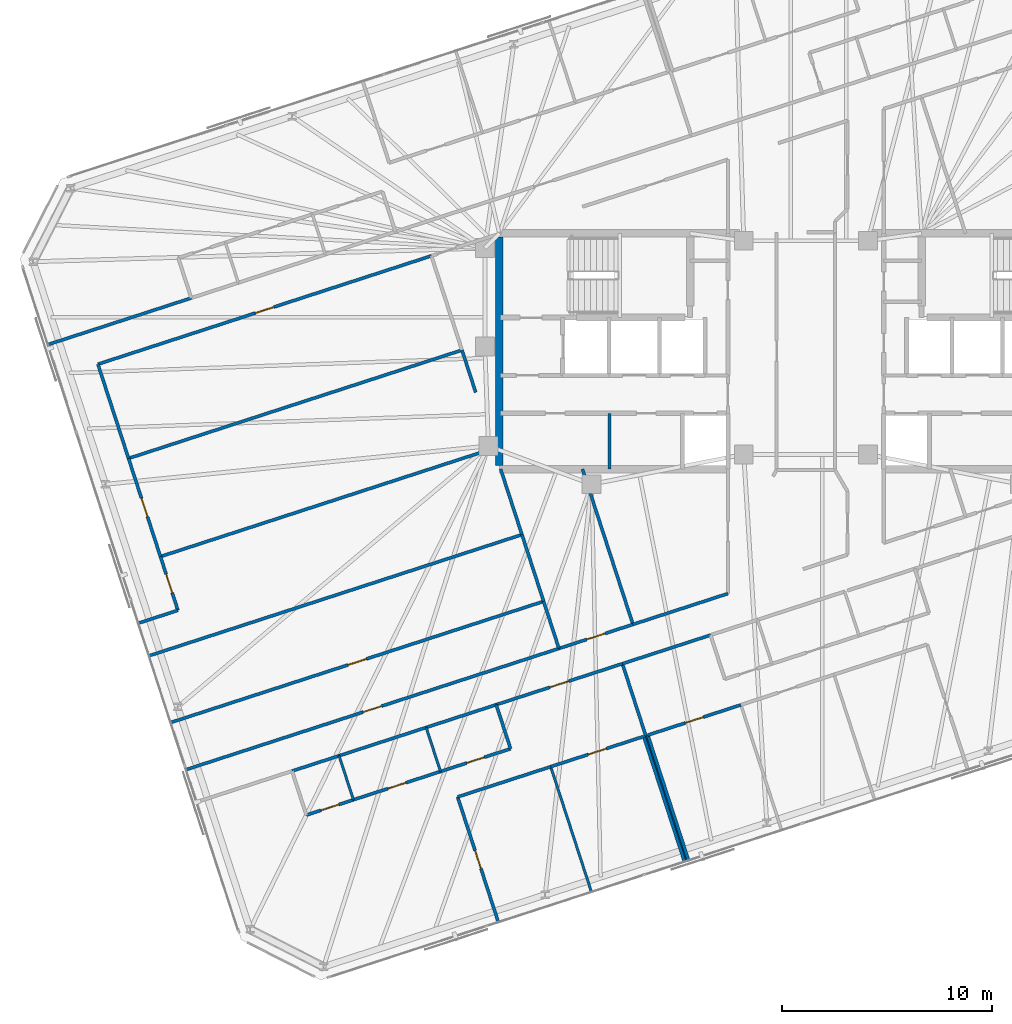
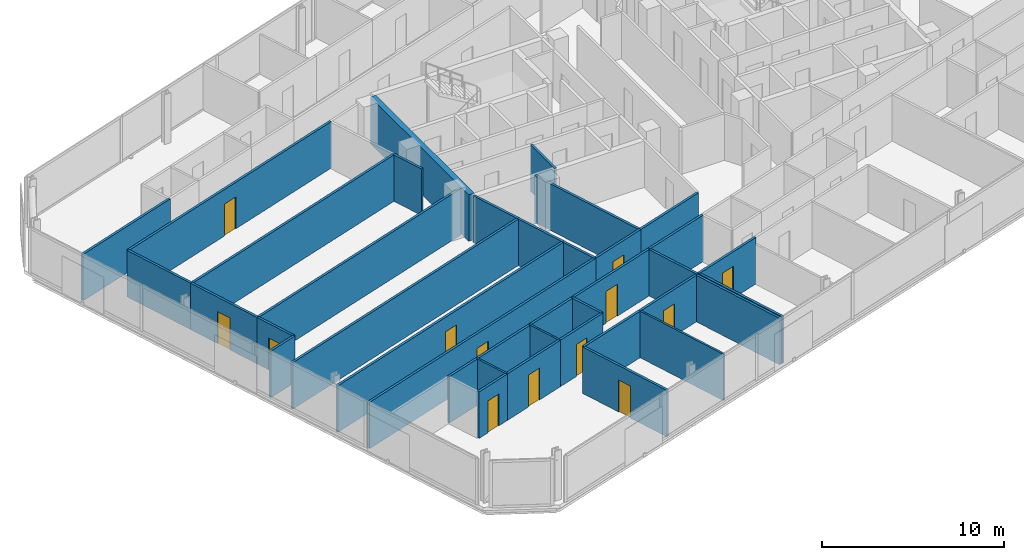
# One storey, part 13 of 20: 39 walls, 13 doors, 13 openings.
"""IFC4 building model written with IfcOpenShell, lengths in metres."""

import ifcopenshell
import ifcopenshell.guid

model = None  # the IFC model being written
_history = None  # IfcOwnerHistory: only IFC2X3 demands one
_inside = {}  # id of a spatial element -> (the spatial element, [elements in it])
_under = {}  # id of a project, library or spatial element -> (it, [spatial elements below it])
_declared = {}  # id of a project -> (the project, [libraries it declares])
_typed = {}  # id of a type object -> (the type object, [elements of that type])
_made_of = {}  # id of a material, layer set ... -> (it, [elements and type objects made of it])


def new_model(schema):
    """Start an empty IFC model of exactly this schema.

    Asked for "IFC4X3", IfcOpenShell would pick the latest addendum, in which some entities
    have other attributes; the version numbers below select the first issue.
    IFC2X3 requires an IfcOwnerHistory on every rooted entity: one is made here for all.
    """
    global model, _history
    if schema == "IFC4X3":
        model = ifcopenshell.file(schema_version=(4, 3, 0, 0))
    else:
        model = ifcopenshell.file(schema=schema)
    _inside.clear()
    _under.clear()
    _declared.clear()
    _typed.clear()
    _made_of.clear()
    _history = None
    if model.schema == "IFC2X3":
        org = make("IfcOrganization", Name="unknown")
        user = make(
            "IfcPersonAndOrganization",
            ThePerson=make("IfcPerson", FamilyName="unknown"),
            TheOrganization=org,
        )
        app = make(
            "IfcApplication",
            ApplicationDeveloper=org,
            Version="unknown",
            ApplicationFullName="unknown",
            ApplicationIdentifier="unknown",
        )
        _history = make(
            "IfcOwnerHistory",
            OwningUser=user,
            OwningApplication=app,
            ChangeAction="ADDED",
            CreationDate=0,
        )
    return model


def make(cls, **values):
    """One entity of the class cls with the attributes given. An attribute that is None is left unset."""
    return model.create_entity(
        cls, **{name: value for name, value in values.items() if value is not None}
    )


def rooted(cls, **values):
    """An entity with a GlobalId (a new one), such as an element, a storey or a relation."""
    return make(cls, GlobalId=ifcopenshell.guid.new(), OwnerHistory=_history, **values)


def si_unit(unit_type, name, prefix=None):
    """IfcSIUnit, for example si_unit("LENGTHUNIT", "METRE", prefix="MILLI")."""
    return make("IfcSIUnit", UnitType=unit_type, Prefix=prefix, Name=name)


def assignment(units):
    """IfcUnitAssignment: the units of a project."""
    return None if units is None else make("IfcUnitAssignment", Units=units)


def point(xyz):
    """IfcCartesianPoint."""
    return None if xyz is None else make("IfcCartesianPoint", Coordinates=xyz)


def direction(xyz):
    """IfcDirection."""
    return None if xyz is None else make("IfcDirection", DirectionRatios=xyz)


def frame(location, z_axis=None, x_axis=None):
    """IfcAxis2Placement3D, a coordinate frame: its origin and axes. An axis left out is left unset."""
    return make(
        "IfcAxis2Placement3D",
        Location=point(location),
        Axis=direction(z_axis),
        RefDirection=direction(x_axis),
    )


def frame_2d(location, x_axis=None):
    """IfcAxis2Placement2D, a coordinate frame in the plane: its origin and x axis."""
    return make(
        "IfcAxis2Placement2D", Location=point(location), RefDirection=direction(x_axis)
    )


def origin():
    """The frame at (0, 0, 0) with its axes left unset."""
    return frame((0.0, 0.0, 0.0))


def place(relative_to, where):
    """IfcLocalPlacement: puts the frame where relative to a parent placement (None: the world)."""
    return make(
        "IfcLocalPlacement", PlacementRelTo=relative_to, RelativePlacement=where
    )


def context(
    kind, dimensions, precision=None, world=None, true_north=None, identifier=None
):
    """IfcGeometricRepresentationContext, for example the 3D "Model" context."""
    return make(
        "IfcGeometricRepresentationContext",
        ContextIdentifier=identifier,
        ContextType=kind,
        CoordinateSpaceDimension=dimensions,
        Precision=precision,
        WorldCoordinateSystem=world,
        TrueNorth=true_north,
    )


def subcontext(parent, identifier, kind, view, scale=None):
    """IfcGeometricRepresentationSubContext, for example "Body" below "Model"."""
    return make(
        "IfcGeometricRepresentationSubContext",
        ContextIdentifier=identifier,
        ContextType=kind,
        ParentContext=parent,
        TargetScale=scale,
        TargetView=view,
    )


def project(units=None, contexts=None):
    """IfcProject with its units and contexts."""
    return rooted(
        "IfcProject",
        Name="project",
        RepresentationContexts=contexts,
        UnitsInContext=assignment(units),
    )


def spatial(cls, under=None, at=None, **own):
    """A site, building, storey or space (cls), placed at a placement, below another one or the project."""
    s = rooted(cls, ObjectPlacement=at, **own)
    if under is not None:
        _under.setdefault(under.id(), (under, []))[1].append(s)
    return s


def profile(cls, at=None, kind="AREA", **sizes):
    """A parametric profile (cls). Its sizes go by their IFC names, for example OverallWidth=200.0."""
    return make(cls, ProfileType=kind, Position=at, **sizes)


def rectangle(**sizes):
    """IfcRectangleProfileDef."""
    return profile("IfcRectangleProfileDef", **sizes)


def extrude(swept, where, along, depth):
    """IfcExtrudedAreaSolid: the profile swept, set in the frame where, extruded along a direction by depth."""
    return make(
        "IfcExtrudedAreaSolid",
        SweptArea=swept,
        Position=where,
        ExtrudedDirection=direction(along),
        Depth=depth,
    )


def shape(context_of_items, identifier, shape_type, items):
    """IfcShapeRepresentation: the items that make up one representation, for example the "Body"."""
    return make(
        "IfcShapeRepresentation",
        ContextOfItems=context_of_items,
        RepresentationIdentifier=identifier,
        RepresentationType=shape_type,
        Items=items,
    )


def material(Name=None, Category=None):
    """IfcMaterial."""
    return make("IfcMaterial", Name=Name, Category=Category)


def layer(
    of_material, thickness, ventilated=None, Name=None, Category=None, Priority=None
):
    """IfcMaterialLayer: one layer of a wall or slab, of a material (None: an air gap)."""
    return make(
        "IfcMaterialLayer",
        Material=of_material,
        LayerThickness=thickness,
        IsVentilated=ventilated,
        Name=Name,
        Category=Category,
        Priority=Priority,
    )


def layer_set(layers, Name=None):
    """IfcMaterialLayerSet."""
    return make("IfcMaterialLayerSet", MaterialLayers=layers, LayerSetName=Name)


def made_of(thing, what):
    """Note that an element or type object is made of a material, layer set ...; save() writes the relation."""
    if what is not None:
        _made_of.setdefault(what.id(), (what, []))[1].append(thing)
    return thing


def type_object(cls, material=None, **own):
    """A type object (cls), such as IfcWallType, which elements share."""
    return made_of(rooted(cls, **own), material)


def element(
    cls,
    number,
    at=None,
    inside=None,
    cuts=None,
    type_object=None,
    material=None,
    context=None,
    identifier="Body",
    shape_type=None,
    held_by="IfcProductDefinitionShape",
    body=None,
    shapes=None,
    **own,
):
    """One element of the class cls, such as IfcWall. Its Tag is "e" and its number.

    at: its placement. inside: the storey or other place that contains it. cuts: it is an
    opening in that element (IfcRelVoidsElement). A single representation is given by context,
    identifier, shape_type and body (its items); several are given by shapes. held_by: the class
    of the entity that holds the representations. save() writes the other relations.
    """
    e = rooted(cls, Tag="e%d" % number, ObjectPlacement=at, **own)
    if body is not None:
        shapes = [shape(context, identifier, shape_type, body)]
    if shapes is not None:
        e.Representation = make(held_by, Representations=shapes)
    if inside is not None:
        _inside.setdefault(inside.id(), (inside, []))[1].append(e)
    if cuts is not None:
        rooted(
            "IfcRelVoidsElement", RelatingBuildingElement=cuts, RelatedOpeningElement=e
        )
    if type_object is not None:
        _typed.setdefault(type_object.id(), (type_object, []))[1].append(e)
    return made_of(e, material)


def fill(opening, filler):
    """IfcRelFillsElement: the door or window that sits in an opening."""
    return rooted(
        "IfcRelFillsElement",
        RelatingOpeningElement=opening,
        RelatedBuildingElement=filler,
    )


def aggregate(whole, parts):
    """IfcRelAggregates: a whole, such as a stair, and the parts it consists of."""
    return rooted("IfcRelAggregates", RelatingObject=whole, RelatedObjects=parts)


def save(model, path):
    """Write the relations noted so far, then the file.

    IfcRelAggregates (storeys below a building ...), IfcRelContainedInSpatialStructure (elements
    in a storey), IfcRelDefinesByType, IfcRelAssociatesMaterial and IfcRelDeclares: one each for
    every whole, place, type object, material and project.
    """
    for whole, parts in _under.values():
        aggregate(whole, parts)
    for where, things in _inside.values():
        rooted(
            "IfcRelContainedInSpatialStructure",
            RelatedElements=things,
            RelatingStructure=where,
        )
    for kind, things in _typed.values():
        rooted("IfcRelDefinesByType", RelatedObjects=things, RelatingType=kind)
    for what, things in _made_of.values():
        rooted("IfcRelAssociatesMaterial", RelatedObjects=things, RelatingMaterial=what)
    for by, libraries in _declared.values():
        rooted("IfcRelDeclares", RelatingContext=by, RelatedDefinitions=libraries)
    model.write(path)


model = new_model("IFC4")

# Units and contexts
model_context = context("Model", 3, precision=1e-05, world=origin(), true_north=direction((0.0, 1.0)))
body_context = subcontext(model_context, "Body", "Model", "MODEL_VIEW")
ifc_project = project(units=[si_unit("LENGTHUNIT", "METRE"), si_unit("AREAUNIT", "SQUARE_METRE"), si_unit("VOLUMEUNIT", "CUBIC_METRE"), si_unit("PLANEANGLEUNIT", "RADIAN"), si_unit("MASSUNIT", "GRAM", prefix="KILO")], contexts=[model_context])

# Site, building, storey
site_placement = place(None, origin())
site = spatial("IfcSite", under=ifc_project, at=site_placement, CompositionType="ELEMENT")
building_placement = place(site_placement, origin())
building = spatial("IfcBuilding", under=site, at=building_placement, Name="Menara Jurai Vektor", CompositionType="ELEMENT")
storey_placement = place(building_placement, frame((0.0, 0.0, 227.64990234375)))
storey = spatial("IfcBuildingStorey", under=building, at=storey_placement, Name="L60", CompositionType="ELEMENT", Elevation=227.64990234375)

# Walls
ifc_material_1 = material(Name="Gypsum Fireboard Partition", Category="gypsum")
ifc_layer_1 = layer(ifc_material_1, 0.14990234375)
ifc_layer_set_1 = layer_set([ifc_layer_1], Name="Gypsum Fireboard Partition")
wall_type_1 = type_object("IfcWallType", Name="INT-WALL-CORR-150", PredefinedType="PARTITIONING", material=ifc_layer_set_1)
wall_1_placement = place(storey_placement, frame((-9.320068359375, -5.60009765625, 0.0), z_axis=(0.0, 0.0, 1.0), x_axis=(0.0, 1.0, 0.0)))
element("IfcWall", 1, at=wall_1_placement, inside=storey, type_object=wall_type_1, Name="Interior Wall IW-150 L60", PredefinedType="PARTITIONING", context=body_context, shape_type="SweptSolid", body=[
    extrude(rectangle(XDim=2.650146484375, YDim=0.14990234375, at=frame_2d((1.3251953125, 0.0))), origin(), (0.0, 0.0, 1.0), 3.125),
])
wall_2_placement = place(storey_placement, frame((-36.01220703125, 0.314208984375, 0.0), z_axis=(0.0, 0.0, 1.0), x_axis=(0.951054850325, 0.309022121658, 0.0)))
element("IfcWall", 2, at=wall_2_placement, inside=storey, type_object=wall_type_1, Name="Interior Wall IW-150 L60", PredefinedType="PARTITIONING", context=body_context, shape_type="SweptSolid", body=[
    extrude(rectangle(XDim=7.164794921875, YDim=0.14990234375, at=frame_2d((3.58251953125, 0.0))), origin(), (0.0, 0.0, 1.0), 3.125),
])

# Wall, opening, door
wall_3_placement = place(storey_placement, frame((-14.708740234375, -16.794189453125, 0.0), z_axis=(0.0, 0.0, 1.0), x_axis=(0.951050295235, 0.309036140172, 0.0)))
wall_3 = element("IfcWall", 3, at=wall_3_placement, inside=storey, type_object=wall_type_1, Name="Interior Wall IW-150 L60", PredefinedType="PARTITIONING", context=body_context, shape_type="SweptSolid", body=[
    extrude(rectangle(XDim=6.302001953125, YDim=0.14990234375, at=frame_2d((3.15087890625, 0.0))), origin(), (0.0, 0.0, 1.0), 3.125),
])
opening_1_placement = place(wall_3_placement, frame((2.676025390625, 0.0, 0.0)))
opening_1 = element("IfcOpeningElement", 4, at=opening_1_placement, cuts=wall_3, Name="Opening D60-22", PredefinedType="OPENING", context=body_context, shape_type="SweptSolid", body=[
    extrude(rectangle(XDim=0.949951171875, YDim=2.14990234375, at=frame_2d((0.47509765625, 1.074951171875))), frame((0.0, 0.0849609375, 0.0), z_axis=(0.0, -1.0, 0.0), x_axis=(1.0, 0.0, 0.0)), (0.0, 0.0, 1.0), 0.169921875),
])
ifc_material_2 = material(Name="Solid Core Timber Fire Door", Category="wood")
door_type_1 = type_object("IfcDoorType", Name="DR-ENTRY-950", OperationType="NOTDEFINED", PredefinedType="DOOR", material=ifc_material_2)
door_1_placement = place(opening_1_placement, origin())
door_1 = element("IfcDoor", 5, at=door_1_placement, inside=storey, type_object=door_type_1, Name="Interior Door D60-22", OperationType="SINGLE_SWING_LEFT", OverallHeight=2.14990234375, OverallWidth=0.949951171875, PredefinedType="DOOR", context=body_context, shape_type="SweptSolid", body=[
    extrude(rectangle(XDim=0.949951171875, YDim=2.14990234375, at=frame_2d((0.47509765625, 1.074951171875))), frame((0.0, 0.02490234375, 0.0), z_axis=(0.0, -1.0, 0.0), x_axis=(1.0, 0.0, 0.0)), (0.0, 0.0, 1.0), 0.050048828125),
])
fill(opening_1, door_1)

# Walls
wall_4_placement = place(storey_placement, frame((-24.40966796875, -19.946044921875, 0.0), z_axis=(0.0, 0.0, 1.0), x_axis=(0.951076048914, 0.308956872689, 0.0)))
element("IfcWall", 6, at=wall_4_placement, inside=storey, type_object=wall_type_1, Name="Interior Wall IW-150 L60", PredefinedType="PARTITIONING", context=body_context, shape_type="SweptSolid", body=[
    extrude(rectangle(XDim=2.35009765625, YDim=0.14990234375, at=frame_2d((1.175048828125, 0.0))), origin(), (0.0, 0.0, 1.0), 3.125),
])
wall_5_placement = place(storey_placement, frame((-22.174560546875, -19.219970703125, 0.0), z_axis=(0.0, 0.0, 1.0), x_axis=(0.951052627573, 0.309028962374, 0.0)))
element("IfcWall", 7, at=wall_5_placement, inside=storey, type_object=wall_type_1, Name="Interior Wall IW-150 L60", PredefinedType="PARTITIONING", context=body_context, shape_type="SweptSolid", body=[
    extrude(rectangle(XDim=4.349853515625, YDim=0.14990234375, at=frame_2d((2.1748046875, 0.0))), origin(), (0.0, 0.0, 1.0), 3.125),
])
wall_6_placement = place(storey_placement, frame((-18.03759765625, -17.875732421875, 0.0), z_axis=(0.0, 0.0, 1.0), x_axis=(0.951062257173, 0.308999325213, 0.0)))
element("IfcWall", 8, at=wall_6_placement, inside=storey, type_object=wall_type_1, Name="Interior Wall IW-150 L60", PredefinedType="PARTITIONING", context=body_context, shape_type="SweptSolid", body=[
    extrude(rectangle(XDim=3.500244140625, YDim=0.14990234375, at=frame_2d((1.75, 0.0))), origin(), (0.0, 0.0, 1.0), 3.125),
])
wall_7_placement = place(storey_placement, frame((-8.71533203125, -14.8466796875, 0.0), z_axis=(0.0, 0.0, 1.0), x_axis=(0.951061767293, 0.309000832997, 0.0)))
element("IfcWall", 9, at=wall_7_placement, inside=storey, type_object=wall_type_1, Name="Interior Wall IW-150 L60", PredefinedType="PARTITIONING", context=body_context, shape_type="SweptSolid", body=[
    extrude(rectangle(XDim=4.404052734375, YDim=0.14990234375, at=frame_2d((2.2021484375, 0.0))), origin(), (0.0, 0.0, 1.0), 3.125),
])

# Wall, opening, door
wall_8_placement = place(storey_placement, frame((-29.450439453125, -19.880615234375, 0.0), z_axis=(0.0, 0.0, 1.0), x_axis=(0.95105650271, 0.309017036186, 0.0)))
wall_8 = element("IfcWall", 10, at=wall_8_placement, inside=storey, type_object=wall_type_1, Name="Interior Wall IW-150 L60", PredefinedType="PARTITIONING", context=body_context, shape_type="SweptSolid", body=[
    extrude(rectangle(XDim=18.6318359375, YDim=0.14990234375, at=frame_2d((9.31591796875, 0.0))), origin(), (0.0, 0.0, 1.0), 3.125),
])
opening_2_placement = place(wall_8_placement, frame((8.85595703125, 0.0, 0.0)))
opening_2 = element("IfcOpeningElement", 11, at=opening_2_placement, cuts=wall_8, Name="Opening D60-41", PredefinedType="OPENING", context=body_context, shape_type="SweptSolid", body=[
    extrude(rectangle(XDim=0.919921875, YDim=2.14990234375, at=frame_2d((0.4599609375, 1.074951171875))), frame((0.0, 0.0849609375, 0.0), z_axis=(0.0, -1.0, 0.0), x_axis=(1.0, 0.0, 0.0)), (0.0, 0.0, 1.0), 0.169921875),
])
door_2_placement = place(opening_2_placement, origin())
door_2 = element("IfcDoor", 12, at=door_2_placement, inside=storey, type_object=door_type_1, Name="Interior Door D60-41", OperationType="SINGLE_SWING_RIGHT", OverallHeight=2.14990234375, OverallWidth=0.919921875, PredefinedType="DOOR", context=body_context, shape_type="SweptSolid", body=[
    extrude(rectangle(XDim=0.919921875, YDim=2.14990234375, at=frame_2d((0.4599609375, 1.074951171875))), frame((0.0, 0.02490234375, 0.0), z_axis=(0.0, -1.0, 0.0), x_axis=(1.0, 0.0, 0.0)), (0.0, 0.0, 1.0), 0.050048828125),
])
fill(opening_2, door_2)

# Wall
wall_9_placement = place(storey_placement, frame((-31.7119140625, -12.9208984375, 0.0), z_axis=(0.0, 0.0, 1.0), x_axis=(0.951054051148, 0.309024581215, 0.0)))
element("IfcWall", 13, at=wall_9_placement, inside=storey, type_object=wall_type_1, Name="Interior Wall IW-150 L60", PredefinedType="PARTITIONING", context=body_context, shape_type="SweptSolid", body=[
    extrude(rectangle(XDim=1.97509765625, YDim=0.14990234375, at=frame_2d((0.987548828125, 0.0))), origin(), (0.0, 0.0, 1.0), 3.125),
])

# Wall, opening, door
wall_10_placement = place(storey_placement, frame((-29.83349609375, -12.310546875, 0.0), z_axis=(0.0, 0.0, 1.0), x_axis=(-0.309044953986, 0.951047431213, 0.0)))
wall_10 = element("IfcWall", 14, at=wall_10_placement, inside=storey, type_object=wall_type_1, Name="Interior Wall IW-150 L60", PredefinedType="PARTITIONING", context=body_context, shape_type="SweptSolid", body=[
    extrude(rectangle(XDim=2.68505859375, YDim=0.14990234375, at=frame_2d((1.342529296875, 0.0))), origin(), (0.0, 0.0, 1.0), 3.125),
])
opening_3_placement = place(wall_10_placement, frame((0.882568359375, 0.0, 0.0)))
opening_3 = element("IfcOpeningElement", 15, at=opening_3_placement, cuts=wall_10, Name="Opening D60-43", PredefinedType="OPENING", context=body_context, shape_type="SweptSolid", body=[
    extrude(rectangle(XDim=0.919921875, YDim=2.14990234375, at=frame_2d((0.4599609375, 1.074951171875))), frame((0.0, 0.0849609375, 0.0), z_axis=(0.0, -1.0, 0.0), x_axis=(1.0, 0.0, 0.0)), (0.0, 0.0, 1.0), 0.169921875),
])
door_3_placement = place(opening_3_placement, origin())
door_3 = element("IfcDoor", 16, at=door_3_placement, inside=storey, type_object=door_type_1, Name="Interior Door D60-43", OperationType="SINGLE_SWING_RIGHT", OverallHeight=2.14990234375, OverallWidth=0.919921875, PredefinedType="DOOR", context=body_context, shape_type="SweptSolid", body=[
    extrude(rectangle(XDim=0.919921875, YDim=2.14990234375, at=frame_2d((0.4599609375, 1.074951171875))), frame((0.0, 0.02490234375, 0.0), z_axis=(0.0, -1.0, 0.0), x_axis=(1.0, 0.0, 0.0)), (0.0, 0.0, 1.0), 0.050048828125),
])
fill(opening_3, door_3)

wall_11_placement = place(storey_placement, frame((-30.663330078125, -9.7568359375, 0.0), z_axis=(0.0, 0.0, 1.0), x_axis=(-0.309019653166, 0.951055652397, 0.0)))
wall_11 = element("IfcWall", 17, at=wall_11_placement, inside=storey, type_object=wall_type_1, Name="Interior Wall IW-150 L60", PredefinedType="PARTITIONING", context=body_context, shape_type="SweptSolid", body=[
    extrude(rectangle(XDim=4.90380859375, YDim=0.14990234375, at=frame_2d((2.451904296875, 0.0))), origin(), (0.0, 0.0, 1.0), 3.125),
])
opening_4_placement = place(wall_11_placement, frame((1.991943359375, 0.0, 0.0)))
opening_4 = element("IfcOpeningElement", 18, at=opening_4_placement, cuts=wall_11, Name="Opening D60-44", PredefinedType="OPENING", context=body_context, shape_type="SweptSolid", body=[
    extrude(rectangle(XDim=0.919921875, YDim=2.14990234375, at=frame_2d((0.4599609375, 1.074951171875))), frame((0.0, 0.0849609375, 0.0), z_axis=(0.0, -1.0, 0.0), x_axis=(1.0, 0.0, 0.0)), (0.0, 0.0, 1.0), 0.169921875),
])
door_4_placement = place(opening_4_placement, origin())
door_4 = element("IfcDoor", 19, at=door_4_placement, inside=storey, type_object=door_type_1, Name="Interior Door D60-44", OperationType="SINGLE_SWING_LEFT", OverallHeight=2.14990234375, OverallWidth=0.919921875, PredefinedType="DOOR", context=body_context, shape_type="SweptSolid", body=[
    extrude(rectangle(XDim=0.919921875, YDim=2.14990234375, at=frame_2d((0.4599609375, 1.074951171875))), frame((0.0, 0.02490234375, 0.0), z_axis=(0.0, -1.0, 0.0), x_axis=(1.0, 0.0, 0.0)), (0.0, 0.0, 1.0), 0.050048828125),
])
fill(opening_4, door_4)

# Wall
wall_12_placement = place(storey_placement, frame((-32.1787109375, -5.093017578125, 0.0), z_axis=(0.0, 0.0, 1.0), x_axis=(-0.309014532869, 0.951057316083, 0.0)))
element("IfcWall", 20, at=wall_12_placement, inside=storey, type_object=wall_type_1, Name="Interior Wall IW-150 L60", PredefinedType="PARTITIONING", context=body_context, shape_type="SweptSolid", body=[
    extrude(rectangle(XDim=4.707275390625, YDim=0.14990234375, at=frame_2d((2.353515625, 0.0))), origin(), (0.0, 0.0, 1.0), 3.125),
])

# Wall, opening, door
wall_13_placement = place(storey_placement, frame((-33.63330078125, -0.6162109375, 0.0), z_axis=(0.0, 0.0, 1.0), x_axis=(0.951058192995, 0.309011833974, 0.0)))
wall_13 = element("IfcWall", 21, at=wall_13_placement, inside=storey, type_object=wall_type_1, Name="Interior Wall IW-150 L60", PredefinedType="PARTITIONING", context=body_context, shape_type="SweptSolid", body=[
    extrude(rectangle(XDim=16.656982421875, YDim=0.14990234375, at=frame_2d((8.32861328125, 0.0))), origin(), (0.0, 0.0, 1.0), 3.125),
])
opening_5_placement = place(wall_13_placement, frame((7.868408203125, 0.0, 0.0)))
opening_5 = element("IfcOpeningElement", 22, at=opening_5_placement, cuts=wall_13, Name="Opening D60-45", PredefinedType="OPENING", context=body_context, shape_type="SweptSolid", body=[
    extrude(rectangle(XDim=0.919921875, YDim=2.14990234375, at=frame_2d((0.4599609375, 1.074951171875))), frame((0.0, 0.0849609375, 0.0), z_axis=(0.0, -1.0, 0.0), x_axis=(1.0, 0.0, 0.0)), (0.0, 0.0, 1.0), 0.169921875),
])
door_5_placement = place(opening_5_placement, origin())
door_5 = element("IfcDoor", 23, at=door_5_placement, inside=storey, type_object=door_type_1, Name="Interior Door D60-45", OperationType="SINGLE_SWING_RIGHT", OverallHeight=2.14990234375, OverallWidth=0.919921875, PredefinedType="DOOR", context=body_context, shape_type="SweptSolid", body=[
    extrude(rectangle(XDim=0.919921875, YDim=2.14990234375, at=frame_2d((0.4599609375, 1.074951171875))), frame((0.0, 0.02490234375, 0.0), z_axis=(0.0, -1.0, 0.0), x_axis=(1.0, 0.0, 0.0)), (0.0, 0.0, 1.0), 0.050048828125),
])
fill(opening_5, door_5)

wall_14_placement = place(storey_placement, frame((-11.73046875, -14.123046875, 0.0), z_axis=(0.0, 0.0, 1.0), x_axis=(0.951052502763, 0.309029346483, 0.0)))
wall_14 = element("IfcWall", 24, at=wall_14_placement, inside=storey, type_object=wall_type_1, Name="Interior Wall IW-150 L60", PredefinedType="PARTITIONING", context=body_context, shape_type="SweptSolid", body=[
    extrude(rectangle(XDim=3.697998046875, YDim=0.14990234375, at=frame_2d((1.84912109375, 0.0))), origin(), (0.0, 0.0, 1.0), 3.125),
])
opening_6_placement = place(wall_14_placement, frame((1.388916015625, 0.0, 0.0)))
opening_6 = element("IfcOpeningElement", 25, at=opening_6_placement, cuts=wall_14, Name="Opening D60-50", PredefinedType="OPENING", context=body_context, shape_type="SweptSolid", body=[
    extrude(rectangle(XDim=0.919921875, YDim=2.14990234375, at=frame_2d((0.4599609375, 1.074951171875))), frame((0.0, 0.0849609375, 0.0), z_axis=(0.0, -1.0, 0.0), x_axis=(1.0, 0.0, 0.0)), (0.0, 0.0, 1.0), 0.169921875),
])
door_6_placement = place(opening_6_placement, origin())
door_6 = element("IfcDoor", 26, at=door_6_placement, inside=storey, type_object=door_type_1, Name="Interior Door D60-50", OperationType="SINGLE_SWING_LEFT", OverallHeight=2.14990234375, OverallWidth=0.919921875, PredefinedType="DOOR", context=body_context, shape_type="SweptSolid", body=[
    extrude(rectangle(XDim=0.919921875, YDim=2.14990234375, at=frame_2d((0.4599609375, 1.074951171875))), frame((0.0, 0.02490234375, 0.0), z_axis=(0.0, -1.0, 0.0), x_axis=(1.0, 0.0, 0.0)), (0.0, 0.0, 1.0), 0.050048828125),
])
fill(opening_6, door_6)

# Wall
wall_15_placement = place(storey_placement, frame((-8.21337890625, -12.980224609375, 0.0), z_axis=(0.0, 0.0, 1.0), x_axis=(0.951058260096, 0.309011627456, 0.0)))
element("IfcWall", 27, at=wall_15_placement, inside=storey, type_object=wall_type_1, Name="Interior Wall IW-150 L60", PredefinedType="PARTITIONING", context=body_context, shape_type="SweptSolid", body=[
    extrude(rectangle(XDim=4.745849609375, YDim=0.14990234375, at=frame_2d((2.373046875, 0.0))), origin(), (0.0, 0.0, 1.0), 3.125),
])

# Wall, opening, door
wall_16_placement = place(storey_placement, frame((-23.729736328125, -22.038330078125, 0.0), z_axis=(0.0, 0.0, 1.0), x_axis=(0.951066131077, 0.308987401554, 0.0)))
wall_16 = element("IfcWall", 28, at=wall_16_placement, inside=storey, type_object=wall_type_1, Name="Interior Wall IW-150 L60", PredefinedType="PARTITIONING", context=body_context, shape_type="SweptSolid", body=[
    extrude(rectangle(XDim=2.349853515625, YDim=0.14990234375, at=frame_2d((1.1748046875, 0.0))), origin(), (0.0, 0.0, 1.0), 3.125),
])
opening_7_placement = place(wall_16_placement, frame((0.735107421875, 0.0, 0.0)))
opening_7 = element("IfcOpeningElement", 29, at=opening_7_placement, cuts=wall_16, Name="Opening D60-23", PredefinedType="OPENING", context=body_context, shape_type="SweptSolid", body=[
    extrude(rectangle(XDim=0.8798828125, YDim=2.14990234375, at=frame_2d((0.43994140625, 1.074951171875))), frame((0.0, 0.0849609375, 0.0), z_axis=(0.0, -1.0, 0.0), x_axis=(1.0, 0.0, 0.0)), (0.0, 0.0, 1.0), 0.169921875),
])
ifc_material_3 = material(Name="Moisture-Resistant Timber Door", Category="wood")
door_type_2 = type_object("IfcDoorType", Name="DR-BATH-880", OperationType="NOTDEFINED", PredefinedType="DOOR", material=ifc_material_3)
door_7_placement = place(opening_7_placement, origin())
door_7 = element("IfcDoor", 30, at=door_7_placement, inside=storey, type_object=door_type_2, Name="Interior Door D60-23", OperationType="SINGLE_SWING_RIGHT", OverallHeight=2.14990234375, OverallWidth=0.8798828125, PredefinedType="DOOR", context=body_context, shape_type="SweptSolid", body=[
    extrude(rectangle(XDim=0.8798828125, YDim=2.14990234375, at=frame_2d((0.43994140625, 1.074951171875))), frame((0.0, 0.02490234375, 0.0), z_axis=(0.0, -1.0, 0.0), x_axis=(1.0, 0.0, 0.0)), (0.0, 0.0, 1.0), 0.050048828125),
])
fill(opening_7, door_7)

wall_17_placement = place(storey_placement, frame((-21.494873046875, -21.312255859375, 0.0), z_axis=(0.0, 0.0, 1.0), x_axis=(0.951057987102, 0.309012467661, 0.0)))
wall_17 = element("IfcWall", 31, at=wall_17_placement, inside=storey, type_object=wall_type_1, Name="Interior Wall IW-150 L60", PredefinedType="PARTITIONING", context=body_context, shape_type="SweptSolid", body=[
    extrude(rectangle(XDim=4.35009765625, YDim=0.14990234375, at=frame_2d((2.175048828125, 0.0))), origin(), (0.0, 0.0, 1.0), 3.125),
])
opening_8_placement = place(wall_17_placement, frame((1.72509765625, 0.0, 0.0)))
opening_8 = element("IfcOpeningElement", 32, at=opening_8_placement, cuts=wall_17, Name="Opening D60-24", PredefinedType="OPENING", context=body_context, shape_type="SweptSolid", body=[
    extrude(rectangle(XDim=0.89990234375, YDim=2.14990234375, at=frame_2d((0.449951171875, 1.074951171875))), frame((0.0, 0.0849609375, 0.0), z_axis=(0.0, -1.0, 0.0), x_axis=(1.0, 0.0, 0.0)), (0.0, 0.0, 1.0), 0.169921875),
])
ifc_material_4 = material(Name="Acoustic Timber Interior Door", Category="wood")
door_type_3 = type_object("IfcDoorType", Name="DR-ROOM-900", OperationType="NOTDEFINED", PredefinedType="DOOR", material=ifc_material_4)
door_8_placement = place(opening_8_placement, origin())
door_8 = element("IfcDoor", 33, at=door_8_placement, inside=storey, type_object=door_type_3, Name="Interior Door D60-24", OperationType="SINGLE_SWING_LEFT", OverallHeight=2.14990234375, OverallWidth=0.89990234375, PredefinedType="DOOR", context=body_context, shape_type="SweptSolid", body=[
    extrude(rectangle(XDim=0.89990234375, YDim=2.14990234375, at=frame_2d((0.449951171875, 1.074951171875))), frame((0.0, 0.02490234375, 0.0), z_axis=(0.0, -1.0, 0.0), x_axis=(1.0, 0.0, 0.0)), (0.0, 0.0, 1.0), 0.050048828125),
])
fill(opening_8, door_8)

wall_18_placement = place(storey_placement, frame((-17.357666015625, -19.968017578125, 0.0), z_axis=(0.0, 0.0, 1.0), x_axis=(0.951055596592, 0.309019824916, 0.0)))
wall_18 = element("IfcWall", 34, at=wall_18_placement, inside=storey, type_object=wall_type_1, Name="Interior Wall IW-150 L60", PredefinedType="PARTITIONING", context=body_context, shape_type="SweptSolid", body=[
    extrude(rectangle(XDim=3.5, YDim=0.14990234375, at=frame_2d((1.75, 0.0))), origin(), (0.0, 0.0, 1.0), 3.125),
])
opening_9_placement = place(wall_18_placement, frame((1.31005859375, 0.0, 0.0)))
opening_9 = element("IfcOpeningElement", 35, at=opening_9_placement, cuts=wall_18, Name="Opening D60-25", PredefinedType="OPENING", context=body_context, shape_type="SweptSolid", body=[
    extrude(rectangle(XDim=0.8798828125, YDim=2.14990234375, at=frame_2d((0.43994140625, 1.074951171875))), frame((0.0, 0.0849609375, 0.0), z_axis=(0.0, -1.0, 0.0), x_axis=(1.0, 0.0, 0.0)), (0.0, 0.0, 1.0), 0.169921875),
])
door_9_placement = place(opening_9_placement, origin())
door_9 = element("IfcDoor", 36, at=door_9_placement, inside=storey, type_object=door_type_2, Name="Interior Door D60-25", OperationType="SINGLE_SWING_RIGHT", OverallHeight=2.14990234375, OverallWidth=0.8798828125, PredefinedType="DOOR", context=body_context, shape_type="SweptSolid", body=[
    extrude(rectangle(XDim=0.8798828125, YDim=2.14990234375, at=frame_2d((0.43994140625, 1.074951171875))), frame((0.0, 0.02490234375, 0.0), z_axis=(0.0, -1.0, 0.0), x_axis=(1.0, 0.0, 0.0)), (0.0, 0.0, 1.0), 0.050048828125),
])
fill(opening_9, door_9)

# Wall
wall_19_placement = place(storey_placement, frame((-14.029052734375, -18.886474609375, 0.0), z_axis=(0.0, 0.0, 1.0), x_axis=(-0.308960600764, 0.951074837842, 0.0)))
element("IfcWall", 37, at=wall_19_placement, inside=storey, type_object=wall_type_1, Name="Interior Wall IW-150 L60", PredefinedType="PARTITIONING", context=body_context, shape_type="SweptSolid", body=[
    extrude(rectangle(XDim=2.199951171875, YDim=0.14990234375, at=frame_2d((1.10009765625, 0.0))), origin(), (0.0, 0.0, 1.0), 3.125),
])

# Wall, opening, door
wall_20_placement = place(storey_placement, frame((-14.607666015625, -27.130859375, 0.0), z_axis=(0.0, 0.0, 1.0), x_axis=(-0.309013782848, 0.951057559777, 0.0)))
wall_20 = element("IfcWall", 38, at=wall_20_placement, inside=storey, type_object=wall_type_1, Name="Interior Wall IW-150 L60", PredefinedType="PARTITIONING", context=body_context, shape_type="SweptSolid", body=[
    extrude(rectangle(XDim=6.261962890625, YDim=0.14990234375, at=frame_2d((3.130859375, 0.0))), origin(), (0.0, 0.0, 1.0), 3.125),
])
opening_10_placement = place(wall_20_placement, frame((2.680908203125, 0.0, 0.0)))
opening_10 = element("IfcOpeningElement", 39, at=opening_10_placement, cuts=wall_20, Name="Opening D60-26", PredefinedType="OPENING", context=body_context, shape_type="SweptSolid", body=[
    extrude(rectangle(XDim=0.89990234375, YDim=2.14990234375, at=frame_2d((0.449951171875, 1.074951171875))), frame((0.0, 0.0849609375, 0.0), z_axis=(0.0, -1.0, 0.0), x_axis=(1.0, 0.0, 0.0)), (0.0, 0.0, 1.0), 0.169921875),
])
door_10_placement = place(opening_10_placement, origin())
door_10 = element("IfcDoor", 40, at=door_10_placement, inside=storey, type_object=door_type_3, Name="Interior Door D60-26", OperationType="SINGLE_SWING_LEFT", OverallHeight=2.14990234375, OverallWidth=0.89990234375, PredefinedType="DOOR", context=body_context, shape_type="SweptSolid", body=[
    extrude(rectangle(XDim=0.89990234375, YDim=2.14990234375, at=frame_2d((0.449951171875, 1.074951171875))), frame((0.0, 0.02490234375, 0.0), z_axis=(0.0, -1.0, 0.0), x_axis=(1.0, 0.0, 0.0)), (0.0, 0.0, 1.0), 0.050048828125),
])
fill(opening_10, door_10)

# Wall
wall_21_placement = place(storey_placement, frame((-16.542724609375, -21.17529296875, 0.0), z_axis=(0.0, 0.0, 1.0), x_axis=(0.951050272606, 0.309036209813, 0.0)))
element("IfcWall", 41, at=wall_21_placement, inside=storey, type_object=wall_type_1, Name="Interior Wall IW-150 L60", PredefinedType="PARTITIONING", context=body_context, shape_type="SweptSolid", body=[
    extrude(rectangle(XDim=4.64990234375, YDim=0.14990234375, at=frame_2d((2.324951171875, 0.0))), origin(), (0.0, 0.0, 1.0), 3.125),
])

# Wall, opening, door
wall_22_placement = place(storey_placement, frame((-12.120361328125, -19.73828125, 0.0), z_axis=(0.0, 0.0, 1.0), x_axis=(0.951065702951, 0.308988719326, 0.0)))
wall_22 = element("IfcWall", 42, at=wall_22_placement, inside=storey, type_object=wall_type_1, Name="Interior Wall IW-150 L60", PredefinedType="PARTITIONING", context=body_context, shape_type="SweptSolid", body=[
    extrude(rectangle(XDim=4.64990234375, YDim=0.14990234375, at=frame_2d((2.324951171875, 0.0))), origin(), (0.0, 0.0, 1.0), 3.125),
])
opening_11_placement = place(wall_22_placement, frame((1.875, 0.0, 0.0)))
opening_11 = element("IfcOpeningElement", 43, at=opening_11_placement, cuts=wall_22, Name="Opening D60-27", PredefinedType="OPENING", context=body_context, shape_type="SweptSolid", body=[
    extrude(rectangle(XDim=0.89990234375, YDim=2.14990234375, at=frame_2d((0.449951171875, 1.074951171875))), frame((0.0, 0.0849609375, 0.0), z_axis=(0.0, -1.0, 0.0), x_axis=(1.0, 0.0, 0.0)), (0.0, 0.0, 1.0), 0.169921875),
])
door_11_placement = place(opening_11_placement, origin())
door_11 = element("IfcDoor", 44, at=door_11_placement, inside=storey, type_object=door_type_3, Name="Interior Door D60-27", OperationType="SINGLE_SWING_RIGHT", OverallHeight=2.14990234375, OverallWidth=0.89990234375, PredefinedType="DOOR", context=body_context, shape_type="SweptSolid", body=[
    extrude(rectangle(XDim=0.89990234375, YDim=2.14990234375, at=frame_2d((0.449951171875, 1.074951171875))), frame((0.0, 0.02490234375, 0.0), z_axis=(0.0, -1.0, 0.0), x_axis=(1.0, 0.0, 0.0)), (0.0, 0.0, 1.0), 0.050048828125),
])
fill(opening_11, door_11)

# Walls
wall_23_placement = place(storey_placement, frame((-5.7626953125, -24.2568359375, 0.0), z_axis=(0.0, 0.0, 1.0), x_axis=(-0.309060506107, 0.951042377376, 0.0)))
element("IfcWall", 45, at=wall_23_placement, inside=storey, type_object=wall_type_1, Name="Interior Wall IW-150 L60", PredefinedType="PARTITIONING", context=body_context, shape_type="SweptSolid", body=[
    extrude(rectangle(XDim=6.261962890625, YDim=0.14990234375, at=frame_2d((3.130859375, 0.0))), origin(), (0.0, 0.0, 1.0), 3.125),
])
wall_24_placement = place(storey_placement, frame((-5.667724609375, -24.22607421875, 0.0), z_axis=(0.0, 0.0, 1.0), x_axis=(-0.309022258842, 0.95105480575, 0.0)))
element("IfcWall", 46, at=wall_24_placement, inside=storey, type_object=wall_type_1, Name="Interior Wall IW-150 L60", PredefinedType="PARTITIONING", context=body_context, shape_type="SweptSolid", body=[
    extrude(rectangle(XDim=9.862060546875, YDim=0.14990234375, at=frame_2d((4.93115234375, 0.0))), origin(), (0.0, 0.0, 1.0), 3.125),
])
wall_25_placement = place(storey_placement, frame((-5.572509765625, -24.195068359375, 0.0), z_axis=(0.0, 0.0, 1.0), x_axis=(-0.309049046683, 0.951046101272, 0.0)))
element("IfcWall", 47, at=wall_25_placement, inside=storey, type_object=wall_type_1, Name="Interior Wall IW-150 L60", PredefinedType="PARTITIONING", context=body_context, shape_type="SweptSolid", body=[
    extrude(rectangle(XDim=6.26220703125, YDim=0.14990234375, at=frame_2d((3.131103515625, 0.0))), origin(), (0.0, 0.0, 1.0), 3.125),
])

# Wall, opening, door
wall_26_placement = place(storey_placement, frame((-7.5078125, -18.239501953125, 0.0), z_axis=(0.0, 0.0, 1.0), x_axis=(0.951070715387, 0.308973290646, 0.0)))
wall_26 = element("IfcWall", 48, at=wall_26_placement, inside=storey, type_object=wall_type_1, Name="Interior Wall IW-150 L60", PredefinedType="PARTITIONING", context=body_context, shape_type="SweptSolid", body=[
    extrude(rectangle(XDim=4.650146484375, YDim=0.14990234375, at=frame_2d((2.3251953125, 0.0))), origin(), (0.0, 0.0, 1.0), 3.125),
])
opening_12_placement = place(wall_26_placement, frame((1.875, 0.0, 0.0)))
opening_12 = element("IfcOpeningElement", 49, at=opening_12_placement, cuts=wall_26, Name="Opening D60-32", PredefinedType="OPENING", context=body_context, shape_type="SweptSolid", body=[
    extrude(rectangle(XDim=0.89990234375, YDim=2.14990234375, at=frame_2d((0.449951171875, 1.074951171875))), frame((0.0, 0.0849609375, 0.0), z_axis=(0.0, -1.0, 0.0), x_axis=(1.0, 0.0, 0.0)), (0.0, 0.0, 1.0), 0.169921875),
])
door_12_placement = place(opening_12_placement, origin())
door_12 = element("IfcDoor", 50, at=door_12_placement, inside=storey, type_object=door_type_3, Name="Interior Door D60-32", OperationType="SINGLE_SWING_LEFT", OverallHeight=2.14990234375, OverallWidth=0.89990234375, PredefinedType="DOOR", context=body_context, shape_type="SweptSolid", body=[
    extrude(rectangle(XDim=0.89990234375, YDim=2.14990234375, at=frame_2d((0.449951171875, 1.074951171875))), frame((0.0, 0.02490234375, 0.0), z_axis=(0.0, -1.0, 0.0), x_axis=(1.0, 0.0, 0.0)), (0.0, 0.0, 1.0), 0.050048828125),
])
fill(opening_12, door_12)

wall_27_placement = place(storey_placement, frame((-30.177978515625, -17.641845703125, 0.0), z_axis=(0.0, 0.0, 1.0), x_axis=(0.95105650271, 0.309017036186, 0.0)))
wall_27 = element("IfcWall", 51, at=wall_27_placement, inside=storey, type_object=wall_type_1, Name="Interior Wall IW-150 L60", PredefinedType="PARTITIONING", context=body_context, shape_type="SweptSolid", body=[
    extrude(rectangle(XDim=18.6318359375, YDim=0.14990234375, at=frame_2d((9.31591796875, 0.0))), origin(), (0.0, 0.0, 1.0), 3.125),
])
opening_13_placement = place(wall_27_placement, frame((8.85595703125, 0.0, 0.0)))
opening_13 = element("IfcOpeningElement", 52, at=opening_13_placement, cuts=wall_27, Name="Opening D60-42", PredefinedType="OPENING", context=body_context, shape_type="SweptSolid", body=[
    extrude(rectangle(XDim=0.919921875, YDim=2.14990234375, at=frame_2d((0.4599609375, 1.074951171875))), frame((0.0, 0.0849609375, 0.0), z_axis=(0.0, -1.0, 0.0), x_axis=(1.0, 0.0, 0.0)), (0.0, 0.0, 1.0), 0.169921875),
])
door_13_placement = place(opening_13_placement, origin())
door_13 = element("IfcDoor", 53, at=door_13_placement, inside=storey, type_object=door_type_1, Name="Interior Door D60-42", OperationType="SINGLE_SWING_LEFT", OverallHeight=2.14990234375, OverallWidth=0.919921875, PredefinedType="DOOR", context=body_context, shape_type="SweptSolid", body=[
    extrude(rectangle(XDim=0.919921875, YDim=2.14990234375, at=frame_2d((0.4599609375, 1.074951171875))), frame((0.0, 0.02490234375, 0.0), z_axis=(0.0, -1.0, 0.0), x_axis=(1.0, 0.0, 0.0)), (0.0, 0.0, 1.0), 0.050048828125),
])
fill(opening_13, door_13)

# Walls
wall_28_placement = place(storey_placement, frame((-11.73046875, -14.123046875, 0.0), z_axis=(0.0, 0.0, 1.0), x_axis=(-0.309062621189, 0.951041690035, 0.0)))
element("IfcWall", 54, at=wall_28_placement, inside=storey, type_object=wall_type_1, Name="Interior Wall IW-150 L60", PredefinedType="PARTITIONING", context=body_context, shape_type="SweptSolid", body=[
    extrude(rectangle(XDim=2.35400390625, YDim=0.14990234375, at=frame_2d((1.177001953125, 0.0))), origin(), (0.0, 0.0, 1.0), 3.125),
])
wall_29_placement = place(storey_placement, frame((-31.208251953125, -14.470947265625, 0.0), z_axis=(0.0, 0.0, 1.0), x_axis=(0.951057753948, 0.309013185244, 0.0)))
element("IfcWall", 55, at=wall_29_placement, inside=storey, type_object=wall_type_1, Name="Interior Wall IW-150 L60", PredefinedType="PARTITIONING", context=body_context, shape_type="SweptSolid", body=[
    extrude(rectangle(XDim=18.632080078125, YDim=0.14990234375, at=frame_2d((9.31591796875, 0.0))), origin(), (0.0, 0.0, 1.0), 3.125),
])
wall_30_placement = place(storey_placement, frame((-12.4580078125, -11.88427734375, 0.0), z_axis=(0.0, 0.0, 1.0), x_axis=(-0.308946982245, 0.951079261766, 0.0)))
element("IfcWall", 56, at=wall_30_placement, inside=storey, type_object=wall_type_1, Name="Interior Wall IW-150 L60", PredefinedType="PARTITIONING", context=body_context, shape_type="SweptSolid", body=[
    extrude(rectangle(XDim=3.333984375, YDim=0.14990234375, at=frame_2d((1.6669921875, 0.0))), origin(), (0.0, 0.0, 1.0), 3.125),
])
wall_31_placement = place(storey_placement, frame((-30.663330078125, -9.7568359375, 0.0), z_axis=(0.0, 0.0, 1.0), x_axis=(0.951058192995, 0.309011833974, 0.0)))
element("IfcWall", 57, at=wall_31_placement, inside=storey, type_object=wall_type_1, Name="Interior Wall IW-150 L60", PredefinedType="PARTITIONING", context=body_context, shape_type="SweptSolid", body=[
    extrude(rectangle(XDim=16.656982421875, YDim=0.14990234375, at=frame_2d((8.32861328125, 0.0))), origin(), (0.0, 0.0, 1.0), 3.125),
])
wall_32_placement = place(storey_placement, frame((-13.488037109375, -8.71337890625, 0.0), z_axis=(0.0, 0.0, 1.0), x_axis=(-0.309082700143, 0.951035164687, 0.0)))
element("IfcWall", 58, at=wall_32_placement, inside=storey, type_object=wall_type_1, Name="Interior Wall IW-150 L60", PredefinedType="PARTITIONING", context=body_context, shape_type="SweptSolid", body=[
    extrude(rectangle(XDim=3.274169921875, YDim=0.14990234375, at=frame_2d((1.63720703125, 0.0))), origin(), (0.0, 0.0, 1.0), 3.125),
])
wall_33_placement = place(storey_placement, frame((-32.1787109375, -5.093017578125, 0.0), z_axis=(0.0, 0.0, 1.0), x_axis=(0.951053885426, 0.309025091239, 0.0)))
element("IfcWall", 59, at=wall_33_placement, inside=storey, type_object=wall_type_1, Name="Interior Wall IW-150 L60", PredefinedType="PARTITIONING", context=body_context, shape_type="SweptSolid", body=[
    extrude(rectangle(XDim=16.656982421875, YDim=0.14990234375, at=frame_2d((8.32861328125, 0.0))), origin(), (0.0, 0.0, 1.0), 3.125),
])
wall_34_placement = place(storey_placement, frame((-15.68505859375, -1.952392578125, 0.0), z_axis=(0.0, 0.0, 1.0), x_axis=(-0.308929092959, 0.951085072706, 0.0)))
element("IfcWall", 60, at=wall_34_placement, inside=storey, type_object=wall_type_1, Name="Interior Wall IW-150 L60", PredefinedType="PARTITIONING", context=body_context, shape_type="SweptSolid", body=[
    extrude(rectangle(XDim=2.110107421875, YDim=0.14990234375, at=frame_2d((1.05517578125, 0.0))), origin(), (0.0, 0.0, 1.0), 3.125),
])
wall_35_placement = place(storey_placement, frame((-8.21337890625, -12.980224609375, 0.0), z_axis=(0.0, 0.0, 1.0), x_axis=(-0.309017065592, 0.951056493155, 0.0)))
element("IfcWall", 61, at=wall_35_placement, inside=storey, type_object=wall_type_1, Name="Interior Wall IW-150 L60", PredefinedType="PARTITIONING", context=body_context, shape_type="SweptSolid", body=[
    extrude(rectangle(XDim=7.760009765625, YDim=0.14990234375, at=frame_2d((3.8798828125, 0.0))), origin(), (0.0, 0.0, 1.0), 3.125),
])
ifc_material_5 = material(Name="Gypsum Acoustic Stud Partition", Category="gypsum")
ifc_layer_2 = layer(ifc_material_5, 0.1201171875)
ifc_layer_set_2 = layer_set([ifc_layer_2], Name="Gypsum Acoustic Stud Partition")
wall_type_2 = type_object("IfcWallType", Name="INT-WALL-PART-120", PredefinedType="PARTITIONING", material=ifc_layer_set_2)
for number, where, z_axis, x_axis, name in (
    (62, (-21.494873046875, -21.312255859375, 0.0), (0.0, 0.0, 1.0), (-0.308960600764, 0.951074837842, 0.0), "Interior Wall IW-120 L60"),
    (63, (-17.357666015625, -19.968017578125, 0.0), (0.0, 0.0, 1.0), (-0.309060979314, 0.951042223598, 0.0), "Interior Wall IW-120 L60"),
):
    element("IfcWall", number, at=place(storey_placement, frame(where, z_axis=z_axis, x_axis=x_axis)), inside=storey, type_object=wall_type_2, Name=name, PredefinedType="PARTITIONING", context=body_context, shape_type="SweptSolid", body=[
        extrude(rectangle(XDim=2.199951171875, YDim=0.1201171875, at=frame_2d((1.10009765625, 0.0))), origin(), (0.0, 0.0, 1.0), 3.125),
    ])
wall_36_placement = place(storey_placement, frame((-10.185302734375, -25.69384765625, 0.0), z_axis=(0.0, 0.0, 1.0), x_axis=(-0.309013782848, 0.951057559777, 0.0)))
element("IfcWall", 64, at=wall_36_placement, inside=storey, type_object=wall_type_2, Name="Interior Wall IW-120 L60", PredefinedType="PARTITIONING", context=body_context, shape_type="SweptSolid", body=[
    extrude(rectangle(XDim=6.261962890625, YDim=0.1201171875, at=frame_2d((3.130859375, 0.0))), origin(), (0.0, 0.0, 1.0), 3.125),
])
ifc_material_6 = material(Name="Concrete C50/60", Category="concrete")
ifc_layer_3 = layer(ifc_material_6, 0.35009765625)
ifc_layer_set_3 = layer_set([ifc_layer_3], Name="Concrete C50/60")
wall_type_3 = type_object("IfcWallType", Name="STR-WALL-CORE350", PredefinedType="SHEAR", material=ifc_layer_set_3)
wall_37_placement = place(storey_placement, frame((-14.56005859375, -5.425048828125, 0.0), z_axis=(0.0, 0.0, 1.0), x_axis=(0.0, 1.0, 0.0)))
element("IfcWall", 65, at=wall_37_placement, inside=storey, type_object=wall_type_3, Name="Core Shear Wall CW-W-W L60", PredefinedType="SHEAR", context=body_context, shape_type="SweptSolid", body=[
    extrude(rectangle(XDim=10.85009765625, YDim=0.35009765625, at=frame_2d((5.425048828125, 0.0))), origin(), (0.0, 0.0, 1.0), 3.125),
])

save(model, "model.ifc")
